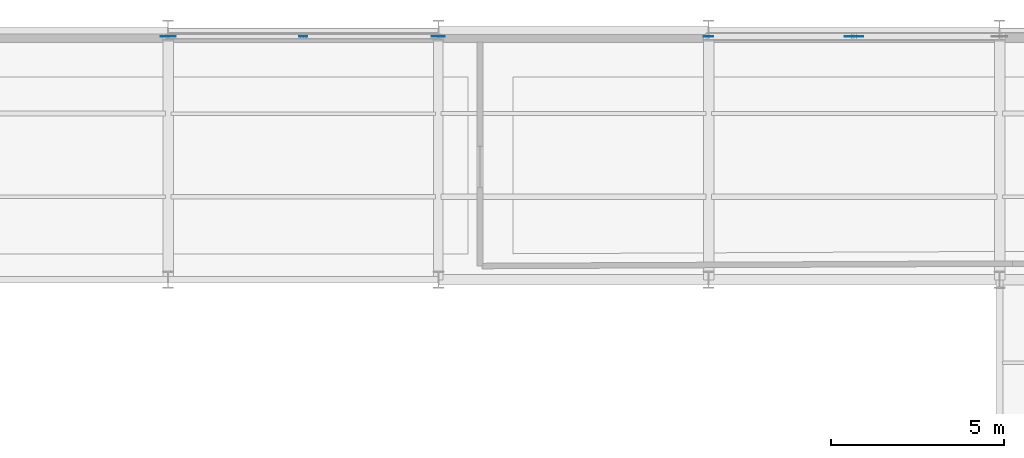
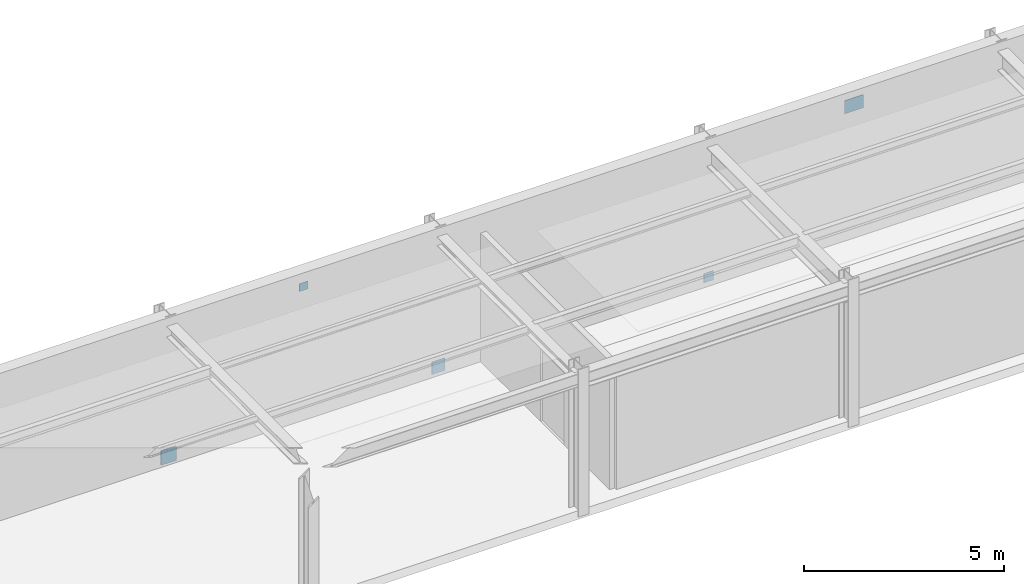
# One storey, part 75 of 101: 5 plates.
"""IFC4 building model written with IfcOpenShell, lengths in metres."""

from ifc_helpers import new_model, si_unit, derived_unit, direction, frame, origin, origin_2d, place, context, subcontext, project, spatial, rectangle, extrude, material, layer, layer_set, type_object, element, save


model = new_model("IFC4")

# Units and contexts
model_context = context("Model", 3, precision=1e-05, world=origin(), true_north=direction((0.0, 1.0)))
body_context = subcontext(model_context, "Body", "Model", "MODEL_VIEW")
ifc_project = project(units=[si_unit("LENGTHUNIT", "METRE"), si_unit("AREAUNIT", "SQUARE_METRE"), si_unit("VOLUMEUNIT", "CUBIC_METRE"), si_unit("PLANEANGLEUNIT", "RADIAN"), si_unit("MASSUNIT", "GRAM", prefix="KILO"), derived_unit("THERMALTRANSMITTANCEUNIT", [(si_unit("POWERUNIT", "WATT"), 1), (si_unit("AREAUNIT", "SQUARE_METRE"), -1), (si_unit("THERMODYNAMICTEMPERATUREUNIT", "KELVIN"), -1)])], contexts=[model_context])

# Site, building, storey
site_placement = place(None, origin())
site = spatial("IfcSite", under=ifc_project, at=site_placement, CompositionType="ELEMENT")
building_placement = place(site_placement, origin())
building = spatial("IfcBuilding", under=site, at=building_placement, Name="Yasenodar Specialist Clinic", CompositionType="ELEMENT")
storey_placement = place(building_placement, origin())
storey = spatial("IfcBuildingStorey", under=building, at=storey_placement, Name="L00", CompositionType="ELEMENT", Elevation=0.0)

# Plates
ifc_material = material(Name="Steel S355", Category="steel")
ifc_layer_1 = layer(ifc_material, 0.02392578125)
ifc_layer_set_1 = layer_set([ifc_layer_1], Name="Steel S355")
plate_type_1 = type_object("IfcPlateType", Name="PL-STEEL-01", PredefinedType="SHEET", material=ifc_layer_set_1)
plate_1_placement = place(storey_placement, frame((81.0, 111.425048828125, -0.070068359375), z_axis=(0.0, 0.0, 1.0), x_axis=(1.0, 0.0, 0.0)))
element("IfcPlate", 1, at=plate_1_placement, inside=storey, type_object=plate_type_1, Name="L00 Hollow Section End-Cap Plate 0010", PredefinedType="SHEET", context=body_context, shape_type="SweptSolid", body=[
    extrude(rectangle(XDim=0.43994140625, YDim=0.02392578125, at=origin_2d()), origin(), (0.0, 0.0, 1.0), 0.43994140625),
])
ifc_layer_2 = layer(ifc_material, 0.02197265625)
ifc_layer_set_2 = layer_set([ifc_layer_2], Name="Steel S355")
plate_type_2 = type_object("IfcPlateType", Name="PL-STEEL-02", PredefinedType="SHEET", material=ifc_layer_set_2)
plate_2_placement = place(storey_placement, frame((88.800048828125, 111.425048828125, -0.0400390625), z_axis=(0.0, 0.0, 1.0), x_axis=(1.0, 0.0, 0.0)))
element("IfcPlate", 2, at=plate_2_placement, inside=storey, type_object=plate_type_2, Name="L00 Hollow Section End-Cap Plate 0011", PredefinedType="SHEET", context=body_context, shape_type="SweptSolid", body=[
    extrude(rectangle(XDim=0.3798828125, YDim=0.02197265625, at=origin_2d()), origin(), (0.0, 0.0, 1.0), 0.3798828125),
])
ifc_layer_3 = layer(ifc_material, 0.01806640625)
ifc_layer_set_3 = layer_set([ifc_layer_3], Name="Steel S355")
plate_type_3 = type_object("IfcPlateType", Name="PL-STEEL-04", PredefinedType="SHEET", material=ifc_layer_set_3)
plate_3_placement = place(storey_placement, frame((96.60009765625, 111.425048828125, 0.009765625), z_axis=(0.0, 0.0, 1.0), x_axis=(1.0, 0.0, 0.0)))
element("IfcPlate", 3, at=plate_3_placement, inside=storey, type_object=plate_type_3, Name="L00 Hollow Section End-Cap Plate 0031", PredefinedType="SHEET", context=body_context, shape_type="SweptSolid", body=[
    extrude(rectangle(XDim=0.280029296875, YDim=0.01806640625, at=origin_2d()), origin(), (0.0, 0.0, 1.0), 0.280029296875),
])
ifc_layer_4 = layer(ifc_material, 0.01611328125)
ifc_layer_set_4 = layer_set([ifc_layer_4], Name="Steel S355")
plate_type_4 = type_object("IfcPlateType", Name="PL-STEEL-05", PredefinedType="USERDEFINED", material=ifc_layer_set_4)
plate_4_placement = place(storey_placement, frame((84.89990234375, 111.425048828125, 3.830078125), z_axis=(0.0, 0.0, 1.0), x_axis=(1.0, 0.0, 0.0)))
element("IfcPlate", 4, at=plate_4_placement, inside=storey, type_object=plate_type_4, Name="L00 Hollow Section End-Cap Plate 0012", ObjectType="CAP_PLATE", PredefinedType="USERDEFINED", context=body_context, shape_type="SweptSolid", body=[
    extrude(rectangle(XDim=0.239990234375, YDim=0.01611328125, at=origin_2d()), origin(), (0.0, 0.0, 1.0), 0.239990234375),
])
ifc_layer_5 = layer(ifc_material, 0.02001953125)
ifc_layer_set_5 = layer_set([ifc_layer_5], Name="Steel S355")
plate_type_5 = type_object("IfcPlateType", Name="PL-STEEL-08", PredefinedType="USERDEFINED", material=ifc_layer_set_5)
plate_5_placement = place(storey_placement, frame((100.800048828125, 111.425048828125, 3.75), z_axis=(0.0, 0.0, 1.0), x_axis=(1.0, 0.0, 0.0)))
element("IfcPlate", 5, at=plate_5_placement, inside=storey, type_object=plate_type_5, Name="L00 Hollow Section End-Cap Plate 0033", ObjectType="GUSSET_PLATE", PredefinedType="USERDEFINED", context=body_context, shape_type="SweptSolid", body=[
    extrude(rectangle(XDim=0.5400390625, YDim=0.02001953125, at=origin_2d()), origin(), (0.0, 0.0, 1.0), 0.39990234375),
])

save(model, "model.ifc")
